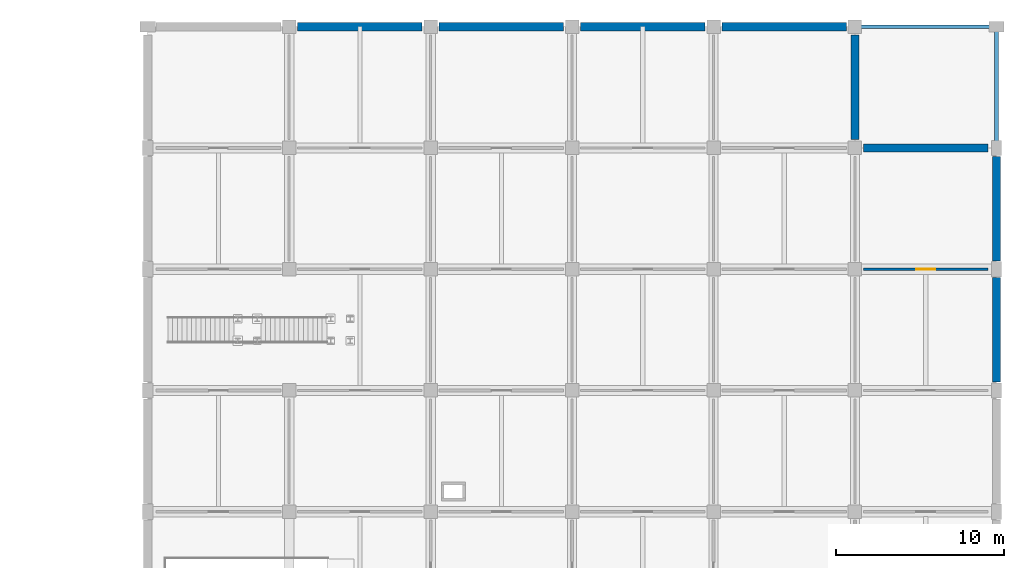
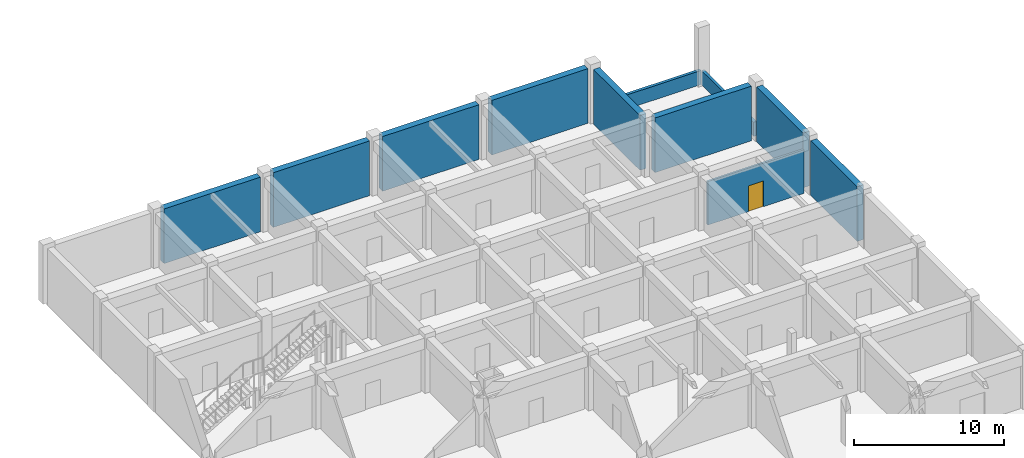
# One storey, part 29 of 32: 11 walls, 1 door, 1 opening.
"""IFC4 building model written with IfcOpenShell, lengths in metres."""

from ifc_helpers import new_model, si_unit, derived_unit, direction, frame, frame_2d, origin, place, context, subcontext, project, spatial, rectangle, extrude, material, layer, layer_set, type_object, element, fill, save


model = new_model("IFC4")

# Units and contexts
model_context = context("Model", 3, precision=1e-05, world=origin(), true_north=direction((0.0, 1.0)))
body_context = subcontext(model_context, "Body", "Model", "MODEL_VIEW")
ifc_project = project(units=[si_unit("LENGTHUNIT", "METRE"), si_unit("AREAUNIT", "SQUARE_METRE"), si_unit("VOLUMEUNIT", "CUBIC_METRE"), si_unit("PLANEANGLEUNIT", "RADIAN"), si_unit("MASSUNIT", "GRAM", prefix="KILO"), derived_unit("THERMALTRANSMITTANCEUNIT", [(si_unit("MASSUNIT", "GRAM", prefix="KILO"), 1), (si_unit("TIMEUNIT", "SECOND"), -3), (si_unit("THERMODYNAMICTEMPERATUREUNIT", "KELVIN"), -1)])], contexts=[model_context])

# Site, building, storey
site_placement = place(None, origin())
site = spatial("IfcSite", under=ifc_project, at=site_placement, CompositionType="ELEMENT")
building_placement = place(site_placement, origin())
building = spatial("IfcBuilding", under=site, at=building_placement, Name="Veldstrom Oceanarium and Marine Research Institute", CompositionType="ELEMENT")
storey_placement = place(building_placement, frame((0.0, 0.0, -4.800048828125)))
storey = spatial("IfcBuildingStorey", under=building, at=storey_placement, Name="B01", CompositionType="ELEMENT", Elevation=-4.800048828125)

# Walls
ifc_material_1 = material(Name="Masonry Cavity Wall", Category="masonry")
ifc_layer_1 = layer(ifc_material_1, 0.219970703125)
ifc_layer_set_1 = layer_set([ifc_layer_1], Name="ARC-WAL-PR1")
wall_type_1 = type_object("IfcWallType", Name="ARC-WAL-PR1", PredefinedType="PARAPET", material=ifc_layer_set_1)
wall_1_placement = place(storey_placement, frame((159.719970703125, 115.199951171875, 0.0), z_axis=(0.0, 0.0, 1.0), x_axis=(1.0, 0.0, 0.0)))
element("IfcWall", 1, at=wall_1_placement, inside=storey, type_object=wall_type_1, Name="Roof Parapet Wall B02-001", PredefinedType="PARAPET", context=body_context, shape_type="SweptSolid", body=[
    extrude(rectangle(XDim=8.159912109375, YDim=0.219970703125, at=frame_2d((4.080078125, 0.0))), origin(), (0.0, 0.0, 1.0), 1.150146484375),
])
wall_2_placement = place(storey_placement, frame((168.0, 108.1201171875, 0.0), z_axis=(0.0, 0.0, 1.0), x_axis=(0.0, 1.0, 0.0)))
element("IfcWall", 2, at=wall_2_placement, inside=storey, type_object=wall_type_1, Name="Roof Parapet Wall B02-002", PredefinedType="PARAPET", context=body_context, shape_type="SweptSolid", body=[
    extrude(rectangle(XDim=6.9599609375, YDim=0.219970703125, at=frame_2d((3.47998046875, 0.0))), origin(), (0.0, 0.0, 1.0), 1.150146484375),
])

# Wall, opening, door
ifc_material_2 = material(Name="Drywall Corridor Partition", Category="gypsum")
ifc_layer_2 = layer(ifc_material_2, 0.155029296875)
ifc_layer_set_2 = layer_set([ifc_layer_2], Name="ARC-WAL-PT4")
wall_type_2 = type_object("IfcWallType", Name="ARC-WAL-PT4", PredefinedType="PARTITIONING", material=ifc_layer_set_2)
wall_3_placement = place(storey_placement, frame((160.10009765625, 100.800048828125, 0.0), z_axis=(0.0, 0.0, 1.0), x_axis=(1.0, 0.0, 0.0)))
wall_3 = element("IfcWall", 3, at=wall_3_placement, inside=storey, type_object=wall_type_2, Name="Interior Partition PT4 B01-0564", PredefinedType="PARTITIONING", context=body_context, shape_type="SweptSolid", body=[
    extrude(rectangle(XDim=7.39990234375, YDim=0.155029296875, at=frame_2d((3.699951171875, 0.0))), origin(), (0.0, 0.0, 1.0), 3.545166015625),
])
opening_placement = place(wall_3_placement, frame((3.125, 0.0, 0.0)))
opening = element("IfcOpeningElement", 4, at=opening_placement, cuts=wall_3, Name="Opening D-B01-327", PredefinedType="OPENING", context=body_context, shape_type="SweptSolid", body=[
    extrude(rectangle(XDim=1.14990234375, YDim=2.10009765625, at=frame_2d((0.574951171875, 1.050048828125))), frame((0.0, 0.08740234375, 0.0), z_axis=(0.0, -1.0, 0.0), x_axis=(1.0, 0.0, 0.0)), (0.0, 0.0, 1.0), 0.175048828125),
])
ifc_material_3 = material(Name="Fellows Studio Door", Category="timber")
door_type = type_object("IfcDoorType", Name="ARC-DOR-ID17", OperationType="SINGLE_SWING_LEFT", PredefinedType="DOOR", material=ifc_material_3)
door_placement = place(opening_placement, frame((1.14990234375, 0.0, 0.0), z_axis=(0.0, 0.0, 1.0), x_axis=(-1.0, 0.0, 0.0)))
door = element("IfcDoor", 5, at=door_placement, inside=storey, type_object=door_type, Name="Interior Door D-B01-327", OperationType="SINGLE_SWING_LEFT", OverallHeight=2.10009765625, OverallWidth=1.14990234375, PredefinedType="DOOR", context=body_context, shape_type="SweptSolid", body=[
    extrude(rectangle(XDim=1.14990234375, YDim=2.10009765625, at=frame_2d((0.574951171875, 1.050048828125))), frame((0.0, 0.02490234375, 0.0), z_axis=(0.0, -1.0, 0.0), x_axis=(1.0, 0.0, 0.0)), (0.0, 0.0, 1.0), 0.050048828125),
])
fill(opening, door)

# Walls
ifc_material_4 = material(Name="Concrete C40/50", Category="concrete")
ifc_layer_3 = layer(ifc_material_4, 0.47998046875)
ifc_layer_set_3 = layer_set([ifc_layer_3], Name="STR-WAL-WR2")
wall_type_3 = type_object("IfcWallType", Name="STR-WAL-WR2", PredefinedType="USERDEFINED", material=ifc_layer_set_3)
wall_4_placement = place(storey_placement, frame((126.5, 115.199951171875, 0.0), z_axis=(0.0, 0.0, 1.0), x_axis=(1.0, 0.0, 0.0)))
element("IfcWall", 6, at=wall_4_placement, inside=storey, type_object=wall_type_3, Name="Basement Retaining Wall WR2-B01-054", ObjectType="Retaining wall", PredefinedType="USERDEFINED", context=body_context, shape_type="SweptSolid", body=[
    extrude(rectangle(XDim=7.39990234375, YDim=0.47998046875, at=frame_2d((3.699951171875, 0.0))), origin(), (0.0, 0.0, 1.0), 4.449951171875),
])
wall_5_placement = place(storey_placement, frame((134.89990234375, 115.199951171875, 0.0), z_axis=(0.0, 0.0, 1.0), x_axis=(1.0, 0.0, 0.0)))
element("IfcWall", 7, at=wall_5_placement, inside=storey, type_object=wall_type_3, Name="Basement Retaining Wall WR2-B01-056", ObjectType="Retaining wall", PredefinedType="USERDEFINED", context=body_context, shape_type="SweptSolid", body=[
    extrude(rectangle(XDim=7.400146484375, YDim=0.47998046875, at=frame_2d((3.7001953125, 0.0))), origin(), (0.0, 0.0, 1.0), 4.449951171875),
])
wall_6_placement = place(storey_placement, frame((143.300048828125, 115.199951171875, 0.0), z_axis=(0.0, 0.0, 1.0), x_axis=(1.0, 0.0, 0.0)))
element("IfcWall", 8, at=wall_6_placement, inside=storey, type_object=wall_type_3, Name="Basement Retaining Wall WR2-B01-058", ObjectType="Retaining wall", PredefinedType="USERDEFINED", context=body_context, shape_type="SweptSolid", body=[
    extrude(rectangle(XDim=7.39990234375, YDim=0.47998046875, at=frame_2d((3.699951171875, 0.0))), origin(), (0.0, 0.0, 1.0), 4.449951171875),
])
wall_7_placement = place(storey_placement, frame((151.699951171875, 115.199951171875, 0.0), z_axis=(0.0, 0.0, 1.0), x_axis=(1.0, 0.0, 0.0)))
element("IfcWall", 9, at=wall_7_placement, inside=storey, type_object=wall_type_3, Name="Basement Retaining Wall WR2-B01-060", ObjectType="Retaining wall", PredefinedType="USERDEFINED", context=body_context, shape_type="SweptSolid", body=[
    extrude(rectangle(XDim=7.400146484375, YDim=0.47998046875, at=frame_2d((3.7001953125, 0.0))), origin(), (0.0, 0.0, 1.0), 4.449951171875),
])
for number, where, z_axis, x_axis, name in (
    (10, (159.60009765625, 108.5, 0.0), (0.0, 0.0, 1.0), (0.0, 1.0, 0.0), "Basement Retaining Wall WR2-B01-061"),
    (11, (168.0, 94.10009765625, 0.0), (0.0, 0.0, 1.0), (0.0, 1.0, 0.0), "Basement Retaining Wall WR2-B01-070"),
):
    element("IfcWall", number, at=place(storey_placement, frame(where, z_axis=z_axis, x_axis=x_axis)), inside=storey, type_object=wall_type_3, Name=name, ObjectType="Retaining wall", PredefinedType="USERDEFINED", context=body_context, shape_type="SweptSolid", body=[
        extrude(rectangle(XDim=6.199951171875, YDim=0.47998046875, at=frame_2d((3.10009765625, 0.0))), origin(), (0.0, 0.0, 1.0), 4.449951171875),
    ])
wall_8_placement = place(storey_placement, frame((160.10009765625, 108.0, 0.0), z_axis=(0.0, 0.0, 1.0), x_axis=(1.0, 0.0, 0.0)))
element("IfcWall", 12, at=wall_8_placement, inside=storey, type_object=wall_type_3, Name="Basement Retaining Wall WR2-B01-071", ObjectType="Retaining wall", PredefinedType="USERDEFINED", context=body_context, shape_type="SweptSolid", body=[
    extrude(rectangle(XDim=7.39990234375, YDim=0.47998046875, at=frame_2d((3.699951171875, 0.0))), origin(), (0.0, 0.0, 1.0), 4.449951171875),
])
wall_9_placement = place(storey_placement, frame((168.0, 101.300048828125, 0.0), z_axis=(0.0, 0.0, 1.0), x_axis=(0.0, 1.0, 0.0)))
element("IfcWall", 13, at=wall_9_placement, inside=storey, type_object=wall_type_3, Name="Basement Retaining Wall WR2-B01-072", ObjectType="Retaining wall", PredefinedType="USERDEFINED", context=body_context, shape_type="SweptSolid", body=[
    extrude(rectangle(XDim=6.199951171875, YDim=0.47998046875, at=frame_2d((3.10009765625, 0.0))), origin(), (0.0, 0.0, 1.0), 4.449951171875),
])

save(model, "model.ifc")
